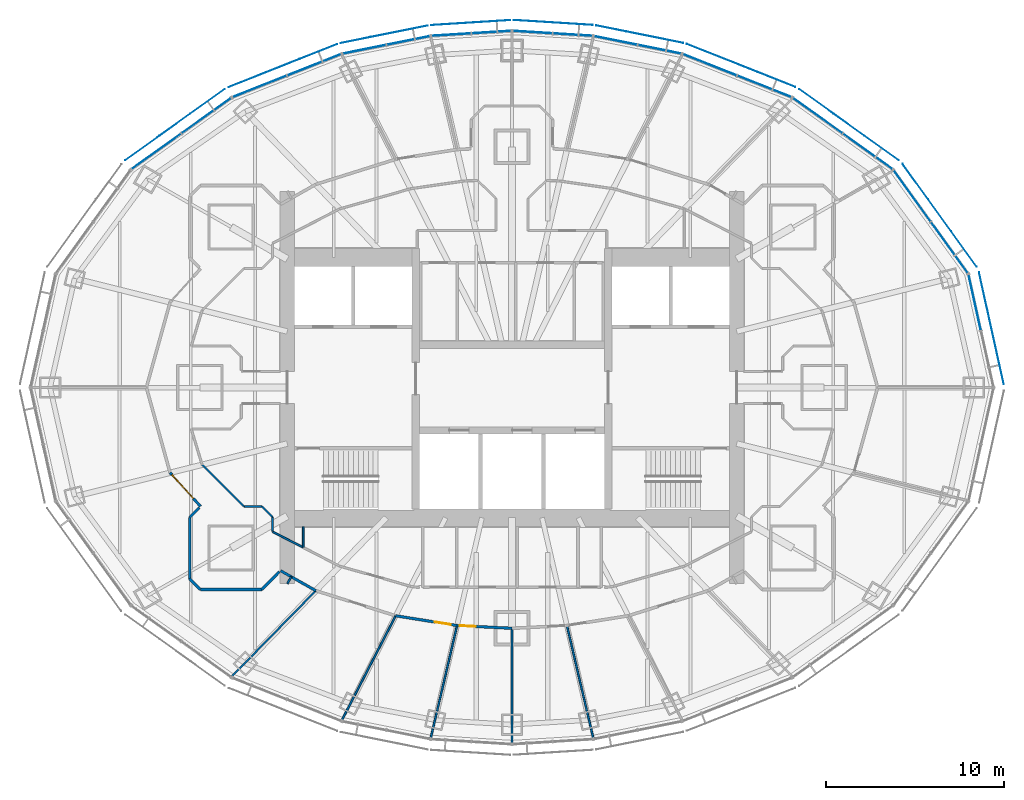
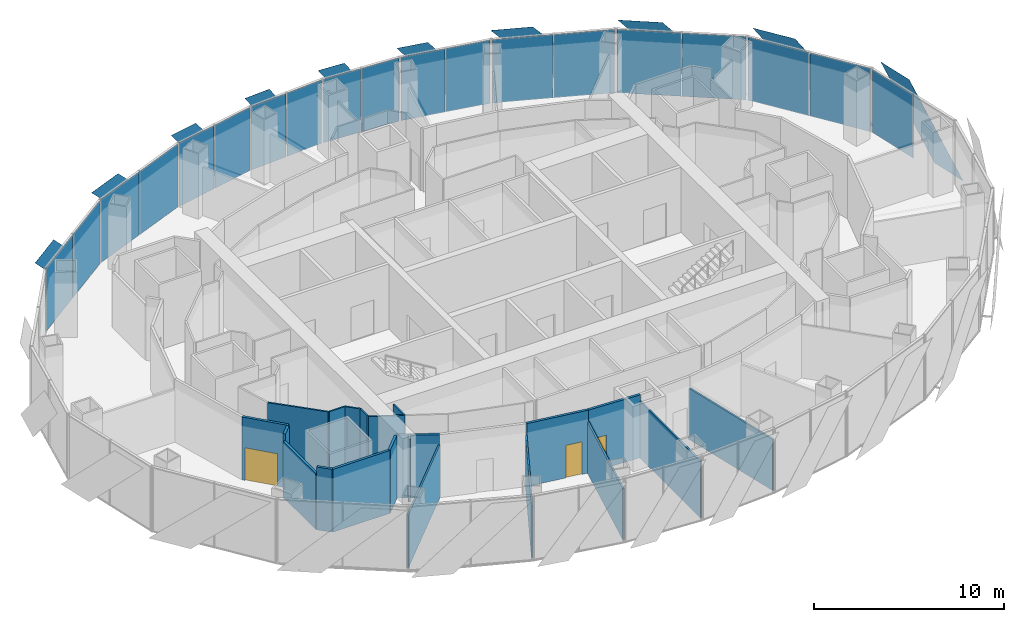
# One storey, part 11 of 18: 29 plates, 21 walls, 3 doors, 3 openings, 10 elements without a shape of their own.
"""IFC4 building model written with IfcOpenShell, lengths in metres."""

from ifc_helpers import new_model, si_unit, direction, frame, frame_2d, origin, origin_2d, place, context, subcontext, project, spatial, polyline, rectangle, outline, extrude, material, layer, layer_set, type_object, element, fill, aggregate, save


model = new_model("IFC4")

# Units and contexts
model_context = context("Model", 3, precision=1e-05, world=origin(), true_north=direction((0.0, 1.0)))
body_context = subcontext(model_context, "Body", "Model", "MODEL_VIEW")
ifc_project = project(units=[si_unit("LENGTHUNIT", "METRE"), si_unit("AREAUNIT", "SQUARE_METRE"), si_unit("VOLUMEUNIT", "CUBIC_METRE"), si_unit("PLANEANGLEUNIT", "RADIAN"), si_unit("MASSUNIT", "GRAM", prefix="KILO")], contexts=[model_context])

# Site, building, storey
site_placement = place(None, origin())
site = spatial("IfcSite", under=ifc_project, at=site_placement, CompositionType="ELEMENT")
building_placement = place(site_placement, origin())
building = spatial("IfcBuilding", under=site, at=building_placement, Name="Lantaw Convention Tower", CompositionType="ELEMENT")
storey_placement = place(building_placement, frame((0.0, 0.0, 241.0)))
storey = spatial("IfcBuildingStorey", under=building, at=storey_placement, Name="L56", CompositionType="ELEMENT", Elevation=241.0)

# Curtain wall, plate
ifc_material_1 = material(Name="Aluminium framed curtain wall", Category="aluminium")
curtain_wall_type = type_object("IfcCurtainWallType", Name="Office curtain wall high rise, pale aluminium", PredefinedType="USERDEFINED", material=ifc_material_1)
curtain_wall_1_placement = place(storey_placement, origin())
curtain_wall_1 = element("IfcCurtainWall", 1, at=curtain_wall_1_placement, inside=storey, type_object=curtain_wall_type, Name="Office curtain wall high rise, pale aluminium L56", ObjectType="UNITISED CURTAIN WALL", PredefinedType="USERDEFINED")
ifc_material_2 = material(Name="Clear insulating glass", Category="glass")
ifc_layer_1 = layer(ifc_material_2, 0.028076171875)
ifc_layer_set_1 = layer_set([ifc_layer_1], Name="CW-O2 panel 28")
plate_type_1 = type_object("IfcPlateType", Name="CW-O2 panel 28", PredefinedType="CURTAIN_PANEL", material=ifc_layer_set_1)
plate_1_placement = place(storey_placement, frame((25.945556640625, 4.769287109375, -0.0849609375), z_axis=(0.0, 0.0, 1.0), x_axis=(-0.215891333626, 0.976417396437, 0.0)))
plate_1 = element("IfcPlate", 2, at=plate_1_placement, type_object=plate_type_1, Name="CW-O2 panel 2.1", PredefinedType="CURTAIN_PANEL", context=body_context, shape_type="SweptSolid", body=[
    extrude(rectangle(XDim=3.169677734375, YDim=0.028076171875, at=origin_2d()), origin(), (0.0, 0.0, 1.0), 4.070068359375),
])
aggregate(curtain_wall_1, [plate_1])

# Curtain wall, plates
curtain_wall_2_placement = place(storey_placement, origin())
curtain_wall_2 = element("IfcCurtainWall", 3, at=curtain_wall_2_placement, inside=storey, type_object=curtain_wall_type, Name="Office curtain wall high rise, pale aluminium L56", ObjectType="UNITISED CURTAIN WALL", PredefinedType="USERDEFINED")
plate_2_placement = place(storey_placement, frame((24.527099609375, 7.852294921875, -0.0849609375), z_axis=(0.0, 0.0, 1.0), x_axis=(-0.585157643865, 0.810919559405, 0.0)))
plate_2 = element("IfcPlate", 4, at=plate_2_placement, type_object=plate_type_1, Name="CW-O2 panel 1.1", PredefinedType="CURTAIN_PANEL", context=body_context, shape_type="SweptSolid", body=[
    extrude(rectangle(XDim=3.500732421875, YDim=0.028076171875, at=origin_2d()), origin(), (0.0, 0.0, 1.0), 4.070068359375),
])
plate_3_placement = place(storey_placement, frame((22.4404296875, 10.743896484375, -0.0849609375), z_axis=(0.0, 0.0, 1.0), x_axis=(-0.585157643865, 0.810919559405, 0.0)))
plate_3 = element("IfcPlate", 5, at=plate_3_placement, type_object=plate_type_1, Name="CW-O2 panel 2.1", PredefinedType="CURTAIN_PANEL", context=body_context, shape_type="SweptSolid", body=[
    extrude(rectangle(XDim=3.500732421875, YDim=0.028076171875, at=origin_2d()), origin(), (0.0, 0.0, 1.0), 4.070068359375),
])
aggregate(curtain_wall_2, [plate_2, plate_3])

curtain_wall_3_placement = place(storey_placement, origin())
curtain_wall_3 = element("IfcCurtainWall", 6, at=curtain_wall_3_placement, inside=storey, type_object=curtain_wall_type, Name="Office curtain wall high rise, pale aluminium L56", ObjectType="UNITISED CURTAIN WALL", PredefinedType="USERDEFINED")
plate_4_placement = place(storey_placement, frame((19.947509765625, 13.23828125, -0.0849609375), z_axis=(0.0, 0.0, 1.0), x_axis=(-0.813672540482, 0.581323487281, 0.0)))
plate_4 = element("IfcPlate", 7, at=plate_4_placement, type_object=plate_type_1, Name="CW-O2 panel 1.1", PredefinedType="CURTAIN_PANEL", context=body_context, shape_type="SweptSolid", body=[
    extrude(rectangle(XDim=3.386474609375, YDim=0.028076171875, at=origin_2d()), origin(), (0.0, 0.0, 1.0), 4.070068359375),
])
plate_5_placement = place(storey_placement, frame((17.13916015625, 15.24462890625, -0.0849609375), z_axis=(0.0, 0.0, 1.0), x_axis=(-0.813672540482, 0.581323487281, 0.0)))
plate_5 = element("IfcPlate", 8, at=plate_5_placement, type_object=plate_type_1, Name="CW-O2 panel 2.1", PredefinedType="CURTAIN_PANEL", context=body_context, shape_type="SweptSolid", body=[
    extrude(rectangle(XDim=3.386474609375, YDim=0.028076171875, at=origin_2d()), origin(), (0.0, 0.0, 1.0), 4.070068359375),
])
aggregate(curtain_wall_3, [plate_4, plate_5])

curtain_wall_4_placement = place(storey_placement, origin())
curtain_wall_4 = element("IfcCurtainWall", 9, at=curtain_wall_4_placement, inside=storey, type_object=curtain_wall_type, Name="Office curtain wall high rise, pale aluminium L56", ObjectType="UNITISED CURTAIN WALL", PredefinedType="USERDEFINED")
plate_6_placement = place(storey_placement, frame((14.14990234375, 16.8837890625, -0.0849609375), z_axis=(0.0, 0.0, 1.0), x_axis=(-0.929761533743, 0.368162315252, 0.0)))
plate_6 = element("IfcPlate", 10, at=plate_6_placement, type_object=plate_type_1, Name="CW-O2 panel 1.1", PredefinedType="CURTAIN_PANEL", context=body_context, shape_type="SweptSolid", body=[
    extrude(rectangle(XDim=3.222900390625, YDim=0.028076171875, at=origin_2d()), origin(), (0.0, 0.0, 1.0), 4.070068359375),
])
plate_7_placement = place(storey_placement, frame((11.0927734375, 18.094482421875, -0.0849609375), z_axis=(0.0, 0.0, 1.0), x_axis=(-0.929761533743, 0.368162315252, 0.0)))
plate_7 = element("IfcPlate", 11, at=plate_7_placement, type_object=plate_type_1, Name="CW-O2 panel 2.1", PredefinedType="CURTAIN_PANEL", context=body_context, shape_type="SweptSolid", body=[
    extrude(rectangle(XDim=3.222900390625, YDim=0.028076171875, at=origin_2d()), origin(), (0.0, 0.0, 1.0), 4.070068359375),
])
aggregate(curtain_wall_4, [plate_6, plate_7])

curtain_wall_5_placement = place(storey_placement, origin())
curtain_wall_5 = element("IfcCurtainWall", 12, at=curtain_wall_5_placement, inside=storey, type_object=curtain_wall_type, Name="Office curtain wall high rise, pale aluminium L56", ObjectType="UNITISED CURTAIN WALL", PredefinedType="USERDEFINED")
plate_8_placement = place(storey_placement, frame((8.2724609375, 18.96533203125, -0.0849609375), z_axis=(0.0, 0.0, 1.0), x_axis=(-0.980366679695, 0.197183095987, 0.0)))
plate_8 = element("IfcPlate", 13, at=plate_8_placement, type_object=plate_type_1, Name="CW-O2 panel 1.1", PredefinedType="CURTAIN_PANEL", context=body_context, shape_type="SweptSolid", body=[
    extrude(rectangle(XDim=2.44384765625, YDim=0.028076171875, at=origin_2d()), origin(), (0.0, 0.0, 1.0), 4.070068359375),
])
plate_9_placement = place(storey_placement, frame((5.81298828125, 19.4599609375, -0.0849609375), z_axis=(0.0, 0.0, 1.0), x_axis=(-0.980366679695, 0.197183095987, 0.0)))
plate_9 = element("IfcPlate", 14, at=plate_9_placement, type_object=plate_type_1, Name="CW-O2 panel 2.1", PredefinedType="CURTAIN_PANEL", context=body_context, shape_type="SweptSolid", body=[
    extrude(rectangle(XDim=2.44384765625, YDim=0.028076171875, at=origin_2d()), origin(), (0.0, 0.0, 1.0), 4.070068359375),
])
aggregate(curtain_wall_5, [plate_8, plate_9])

curtain_wall_6_placement = place(storey_placement, origin())
curtain_wall_6 = element("IfcCurtainWall", 15, at=curtain_wall_6_placement, inside=storey, type_object=curtain_wall_type, Name="Office curtain wall high rise, pale aluminium L56", ObjectType="UNITISED CURTAIN WALL", PredefinedType="USERDEFINED")
plate_10_placement = place(storey_placement, frame((3.397216796875, 19.786376953125, -0.0849609375), z_axis=(0.0, 0.0, 1.0), x_axis=(-0.998028774865, 0.062757983884, 0.0)))
plate_10 = element("IfcPlate", 16, at=plate_10_placement, type_object=plate_type_1, Name="CW-O2 panel 1.1", PredefinedType="CURTAIN_PANEL", context=body_context, shape_type="SweptSolid", body=[
    extrude(rectangle(XDim=2.1826171875, YDim=0.028076171875, at=origin_2d()), origin(), (0.0, 0.0, 1.0), 4.070068359375),
])
plate_11_placement = place(storey_placement, frame((1.154052734375, 19.927490234375, -0.0849609375), z_axis=(0.0, 0.0, 1.0), x_axis=(-0.998028774865, 0.062757983884, 0.0)))
plate_11 = element("IfcPlate", 17, at=plate_11_placement, type_object=plate_type_1, Name="CW-O2 panel 2.1", PredefinedType="CURTAIN_PANEL", context=body_context, shape_type="SweptSolid", body=[
    extrude(rectangle(XDim=2.1826171875, YDim=0.028076171875, at=origin_2d()), origin(), (0.0, 0.0, 1.0), 4.070068359375),
])
aggregate(curtain_wall_6, [plate_10, plate_11])

curtain_wall_7_placement = place(storey_placement, origin())
curtain_wall_7 = element("IfcCurtainWall", 18, at=curtain_wall_7_placement, inside=storey, type_object=curtain_wall_type, Name="Office curtain wall high rise, pale aluminium L56", ObjectType="UNITISED CURTAIN WALL", PredefinedType="USERDEFINED")
plate_12_placement = place(storey_placement, frame((-1.154052734375, 19.927490234375, -0.0849609375), z_axis=(0.0, 0.0, 1.0), x_axis=(-0.998028774865, -0.062757983884, 0.0)))
plate_12 = element("IfcPlate", 19, at=plate_12_placement, type_object=plate_type_1, Name="CW-O2 panel 1.1", PredefinedType="CURTAIN_PANEL", context=body_context, shape_type="SweptSolid", body=[
    extrude(rectangle(XDim=2.1826171875, YDim=0.028076171875, at=origin_2d()), origin(), (0.0, 0.0, 1.0), 4.070068359375),
])
plate_13_placement = place(storey_placement, frame((-3.397216796875, 19.786376953125, -0.0849609375), z_axis=(0.0, 0.0, 1.0), x_axis=(-0.998028774865, -0.062757983884, 0.0)))
plate_13 = element("IfcPlate", 20, at=plate_13_placement, type_object=plate_type_1, Name="CW-O2 panel 2.1", PredefinedType="CURTAIN_PANEL", context=body_context, shape_type="SweptSolid", body=[
    extrude(rectangle(XDim=2.1826171875, YDim=0.028076171875, at=origin_2d()), origin(), (0.0, 0.0, 1.0), 4.070068359375),
])
aggregate(curtain_wall_7, [plate_12, plate_13])

curtain_wall_8_placement = place(storey_placement, origin())
curtain_wall_8 = element("IfcCurtainWall", 21, at=curtain_wall_8_placement, inside=storey, type_object=curtain_wall_type, Name="Office curtain wall high rise, pale aluminium L56", ObjectType="UNITISED CURTAIN WALL", PredefinedType="USERDEFINED")
plate_14_placement = place(storey_placement, frame((-5.81298828125, 19.4599609375, -0.0849609375), z_axis=(0.0, 0.0, 1.0), x_axis=(-0.980366679695, -0.197183095987, 0.0)))
plate_14 = element("IfcPlate", 22, at=plate_14_placement, type_object=plate_type_1, Name="CW-O2 panel 1.1", PredefinedType="CURTAIN_PANEL", context=body_context, shape_type="SweptSolid", body=[
    extrude(rectangle(XDim=2.44384765625, YDim=0.028076171875, at=origin_2d()), origin(), (0.0, 0.0, 1.0), 4.070068359375),
])
plate_15_placement = place(storey_placement, frame((-8.2724609375, 18.96533203125, -0.0849609375), z_axis=(0.0, 0.0, 1.0), x_axis=(-0.980366679695, -0.197183095987, 0.0)))
plate_15 = element("IfcPlate", 23, at=plate_15_placement, type_object=plate_type_1, Name="CW-O2 panel 2.1", PredefinedType="CURTAIN_PANEL", context=body_context, shape_type="SweptSolid", body=[
    extrude(rectangle(XDim=2.44384765625, YDim=0.028076171875, at=origin_2d()), origin(), (0.0, 0.0, 1.0), 4.070068359375),
])
aggregate(curtain_wall_8, [plate_14, plate_15])

curtain_wall_9_placement = place(storey_placement, origin())
curtain_wall_9 = element("IfcCurtainWall", 24, at=curtain_wall_9_placement, inside=storey, type_object=curtain_wall_type, Name="Office curtain wall high rise, pale aluminium L56", ObjectType="UNITISED CURTAIN WALL", PredefinedType="USERDEFINED")
plate_16_placement = place(storey_placement, frame((-11.0927734375, 18.094482421875, -0.0849609375), z_axis=(0.0, 0.0, 1.0), x_axis=(-0.929761533743, -0.368162315252, 0.0)))
plate_16 = element("IfcPlate", 25, at=plate_16_placement, type_object=plate_type_1, Name="CW-O2 panel 1.1", PredefinedType="CURTAIN_PANEL", context=body_context, shape_type="SweptSolid", body=[
    extrude(rectangle(XDim=3.222900390625, YDim=0.028076171875, at=origin_2d()), origin(), (0.0, 0.0, 1.0), 4.070068359375),
])
plate_17_placement = place(storey_placement, frame((-14.14990234375, 16.8837890625, -0.0849609375), z_axis=(0.0, 0.0, 1.0), x_axis=(-0.929761533743, -0.368162315252, 0.0)))
plate_17 = element("IfcPlate", 26, at=plate_17_placement, type_object=plate_type_1, Name="CW-O2 panel 2.1", PredefinedType="CURTAIN_PANEL", context=body_context, shape_type="SweptSolid", body=[
    extrude(rectangle(XDim=3.222900390625, YDim=0.028076171875, at=origin_2d()), origin(), (0.0, 0.0, 1.0), 4.070068359375),
])
aggregate(curtain_wall_9, [plate_16, plate_17])

curtain_wall_10_placement = place(storey_placement, origin())
curtain_wall_10 = element("IfcCurtainWall", 27, at=curtain_wall_10_placement, inside=storey, type_object=curtain_wall_type, Name="Office curtain wall high rise, pale aluminium L56", ObjectType="UNITISED CURTAIN WALL", PredefinedType="USERDEFINED")
plate_18_placement = place(storey_placement, frame((-17.13916015625, 15.24462890625, -0.0849609375), z_axis=(0.0, 0.0, 1.0), x_axis=(-0.813672540482, -0.581323487281, 0.0)))
plate_18 = element("IfcPlate", 28, at=plate_18_placement, type_object=plate_type_1, Name="CW-O2 panel 1.1", PredefinedType="CURTAIN_PANEL", context=body_context, shape_type="SweptSolid", body=[
    extrude(rectangle(XDim=3.386474609375, YDim=0.028076171875, at=origin_2d()), origin(), (0.0, 0.0, 1.0), 4.070068359375),
])
plate_19_placement = place(storey_placement, frame((-19.947509765625, 13.23828125, -0.0849609375), z_axis=(0.0, 0.0, 1.0), x_axis=(-0.813672540482, -0.581323487281, 0.0)))
plate_19 = element("IfcPlate", 29, at=plate_19_placement, type_object=plate_type_1, Name="CW-O2 panel 2.1", PredefinedType="CURTAIN_PANEL", context=body_context, shape_type="SweptSolid", body=[
    extrude(rectangle(XDim=3.386474609375, YDim=0.028076171875, at=origin_2d()), origin(), (0.0, 0.0, 1.0), 4.070068359375),
])
aggregate(curtain_wall_10, [plate_18, plate_19])

# Plates
ifc_material_3 = material(Name="Perforated aluminium sheet, pale silver finish", Category="aluminium")
ifc_layer_2 = layer(ifc_material_3, 0.006103515625)
ifc_layer_set_2 = layer_set([ifc_layer_2], Name="Perforated aluminium solar SCREEN panel")
plate_type_2 = type_object("IfcPlateType", Name="Perforated aluminium solar SCREEN panel", PredefinedType="SHEET", material=ifc_layer_set_2)
plate_20_placement = place(storey_placement, frame((27.580810546875, 0.1796875, -0.175048828125), z_axis=(0.976429511424, 0.215836529031, 4.4219438e-05), x_axis=(-0.215836529242, 0.976429512379, 0.0)))
element("IfcPlate", 30, at=plate_20_placement, inside=storey, type_object=plate_type_2, Name="Solar SCREEN panel", PredefinedType="SHEET", context=body_context, shape_type="SweptSolid", body=[
    extrude(outline(polyline([(0.0, 0.0), (2.2215525295212517, -3.3881317890172014e-21), (6.4341686174090675, 4.340087894868215), (4.212616087887817, 4.340087894868215), (0.0, 0.0)])), origin(), (0.0, 0.0, -1.0), 0.006103515625),
])
plate_21_placement = place(storey_placement, frame((26.051513671875, 6.775390625, -0.175048828125), z_axis=(-0.810892289695, -0.585195432394, 2.0458414e-05), x_axis=(-0.585195432516, 0.810892289865, 0.0)))
element("IfcPlate", 31, at=plate_21_placement, inside=storey, type_object=plate_type_2, Name="Solar SCREEN panel", PredefinedType="SHEET", context=body_context, shape_type="SweptSolid", body=[
    extrude(outline(polyline([(0.0, 0.0), (2.446848840683286, 6.776263578034403e-21), (7.09661046667572, -4.340087891533265), (4.649761625992435, -4.340087891533265), (0.0, 0.0)])), origin(), (0.0, 0.0, -1.0), 0.006103515625),
])
plate_22_placement = place(storey_placement, frame((21.689697265625, 12.73828125, -0.175048828125), z_axis=(0.581330799771, 0.813667316006, 1.0072414e-05), x_axis=(-0.813667316047, 0.5813307998, 3.02e-10)))
element("IfcPlate", 32, at=plate_22_placement, inside=storey, type_object=plate_type_2, Name="Solar SCREEN panel", PredefinedType="SHEET", context=body_context, shape_type="SweptSolid", body=[
    extrude(outline(polyline([(0.0, 0.0), (2.3691416428668504, 0.0), (6.867806096558412, 4.34008788877314), (4.498863102938644, 4.340087890202622), (0.0, 0.0)])), origin(), (0.0, 0.0, -1.0), 0.006103515625),
])
plate_23_placement = place(storey_placement, frame((15.88525390625, 16.8486328125, -0.175048828125), z_axis=(-0.368116612072, -0.929779629081, 3.5533269e-05), x_axis=(-0.929779629668, 0.368116612304, -1.786e-09)))
element("IfcPlate", 33, at=plate_23_placement, inside=storey, type_object=plate_type_2, Name="Solar SCREEN panel", PredefinedType="SHEET", context=body_context, shape_type="SweptSolid", body=[
    extrude(outline(polyline([(0.0, 0.0), (2.2578720663572183, -3.3881317890172014e-21), (6.540904465438181, -4.340087905048178), (4.282942526861161, -4.340087896982072), (0.0, 0.0)])), origin(), (0.0, 0.0, -1.0), 0.006103515625),
])
plate_24_placement = place(storey_placement, frame((9.6044921875, 19.315673828125, -0.175048828125), z_axis=(-0.197162069853, -0.980370908428, 1.0904083e-05), x_axis=(-0.980370908486, 0.197162069865, -7.55e-10)))
element("IfcPlate", 34, at=plate_24_placement, inside=storey, type_object=plate_type_2, Name="Solar SCREEN panel", PredefinedType="SHEET", context=body_context, shape_type="SweptSolid", body=[
    extrude(outline(polyline([(0.0, 0.0), (1.7279870169553606, 8.470329472543003e-22), (4.982578440602753, -4.340087894645749), (3.2545432883764285, -4.340087892035838), (0.0, 0.0)])), origin(), (0.0, 0.0, -1.0), 0.006103515625),
])
plate_25_placement = place(storey_placement, frame((4.539306640625, 20.32177734375, -0.175048828125), z_axis=(-0.062672387577, -0.998034151922, 5.858668e-05), x_axis=(-0.998034153635, 0.062672387685, 0.0)))
element("IfcPlate", 35, at=plate_25_placement, inside=storey, type_object=plate_type_2, Name="Solar SCREEN panel", PredefinedType="SHEET", context=body_context, shape_type="SweptSolid", body=[
    extrude(outline(polyline([(0.0, 0.0), (1.5504111513762302, 8.470329472543003e-22), (4.460200019412434, -4.340087898073457), (2.9097888680362036, -4.340087898073457), (0.0, 0.0)])), origin(), (0.0, 0.0, -1.0), 0.006103515625),
])
plate_26_placement = place(storey_placement, frame((-0.087890625, 20.6015625, -0.175048828125), z_axis=(-0.062672387577, 0.998034151922, 5.858668e-05), x_axis=(-0.998034153635, -0.062672387685, 0.0)))
element("IfcPlate", 36, at=plate_26_placement, inside=storey, type_object=plate_type_2, Name="Solar SCREEN panel", PredefinedType="SHEET", context=body_context, shape_type="SweptSolid", body=[
    extrude(outline(polyline([(0.0, 0.0), (1.5504111513762302, -8.470329472543003e-22), (4.460200019412434, 4.340087898073457), (2.9097888680362036, 4.340087898073457), (0.0, 0.0)])), origin(), (0.0, 0.0, -1.0), 0.006103515625),
])
plate_27_placement = place(storey_placement, frame((-4.7197265625, 20.298095703125, -0.175048828125), z_axis=(-0.197162069853, 0.980370908428, 1.0904083e-05), x_axis=(-0.980370908486, -0.197162069865, 7.55e-10)))
element("IfcPlate", 37, at=plate_27_placement, inside=storey, type_object=plate_type_2, Name="Solar SCREEN panel", PredefinedType="SHEET", context=body_context, shape_type="SweptSolid", body=[
    extrude(outline(polyline([(0.0, 0.0), (1.7280351522263238, 4.235164736271502e-22), (4.982578447157737, 4.34008788712039), (3.2545914302023755, 4.340087889730228), (0.0, 0.0)])), origin(), (0.0, 0.0, -1.0), 0.006103515625),
])
plate_28_placement = place(storey_placement, frame((-9.8037109375, 19.256591796875, -0.175048828125), z_axis=(-0.368116612072, 0.929779629081, 3.5533269e-05), x_axis=(-0.929779629668, -0.368116612304, 1.786e-09)))
element("IfcPlate", 38, at=plate_28_placement, inside=storey, type_object=plate_type_2, Name="Solar SCREEN panel", PredefinedType="SHEET", context=body_context, shape_type="SweptSolid", body=[
    extrude(outline(polyline([(0.0, 0.0), (2.257961938577019, 0.0), (6.540904480942253, 4.34008788168214), (4.283032414585035, 4.340087889747925), (0.0, 0.0)])), origin(), (0.0, 0.0, -1.0), 0.006103515625),
])
plate_29_placement = place(storey_placement, frame((-16.1015625, 16.730712890625, -0.175048828125), z_axis=(0.581330799771, -0.813667316006, 1.0072414e-05), x_axis=(-0.813667316047, -0.5813307998, -3.02e-10)))
element("IfcPlate", 39, at=plate_29_placement, inside=storey, type_object=plate_type_2, Name="Solar SCREEN panel", PredefinedType="SHEET", context=body_context, shape_type="SweptSolid", body=[
    extrude(outline(polyline([(0.0, 0.0), (2.3689429936197683, -1.6940658945086007e-21), (6.867806093939489, -4.340087892917353), (4.498664451072639, -4.340087891487751), (0.0, 0.0)])), origin(), (0.0, 0.0, -1.0), 0.006103515625),
])

# Wall, opening, door
ifc_material_4 = material(Name="Gypsum board on steel studs, fire rated", Category="steel")
ifc_layer_3 = layer(ifc_material_4, 0.14990234375)
ifc_layer_set_3 = layer_set([ifc_layer_3], Name="Corridor wall 150 EI 60")
wall_type_1 = type_object("IfcWallType", Name="Corridor wall 150 EI 60", PredefinedType="PARTITIONING", material=ifc_layer_set_3)
wall_1_placement = place(storey_placement, frame((-6.521240234375, -12.798828125, 0.0), z_axis=(0.0, 0.0, 1.0), x_axis=(0.987554093087, -0.157279729233, 0.0)))
wall_1 = element("IfcWall", 40, at=wall_1_placement, inside=storey, type_object=wall_type_1, Name="Corridor wall 150", PredefinedType="PARTITIONING", context=body_context, shape_type="SweptSolid", body=[
    extrude(rectangle(XDim=3.4833984375, YDim=0.14990234375, at=frame_2d((1.74169921875, 0.0))), origin(), (0.0, 0.0, 1.0), 4.050048828125),
])
opening_1_placement = place(wall_1_placement, frame((2.2255859375, 0.0, 0.0)))
opening_1 = element("IfcOpeningElement", 41, at=opening_1_placement, cuts=wall_1, Name="Opening L56.38", PredefinedType="OPENING", context=body_context, shape_type="SweptSolid", body=[
    extrude(rectangle(XDim=0.89990234375, YDim=2.10009765625, at=frame_2d((0.449951171875, 1.050048828125))), frame((0.0, 0.0849609375, 0.0), z_axis=(0.0, -1.0, 0.0), x_axis=(1.0, 0.0, 0.0)), (0.0, 0.0, 1.0), 0.169921875),
])
ifc_material_5 = material(Name="Steel, fire rated", Category="steel")
door_type_1 = type_object("IfcDoorType", Name="Office door 900 FD30", OperationType="SINGLE_SWING_LEFT", PredefinedType="DOOR", material=ifc_material_5)
door_1_placement = place(opening_1_placement, origin())
door_1 = element("IfcDoor", 42, at=door_1_placement, inside=storey, type_object=door_type_1, Name="Private office door", OperationType="SINGLE_SWING_LEFT", OverallHeight=2.10009765625, OverallWidth=0.89990234375, PredefinedType="DOOR", context=body_context, shape_type="SweptSolid", body=[
    extrude(rectangle(XDim=0.89990234375, YDim=2.10009765625, at=frame_2d((0.449951171875, 1.050048828125))), frame((0.0, 0.02490234375, 0.0), z_axis=(0.0, -1.0, 0.0), x_axis=(1.0, 0.0, 0.0)), (0.0, 0.0, 1.0), 0.050048828125),
])
fill(opening_1, door_1)

wall_2_placement = place(storey_placement, frame((-3.081298828125, -13.3466796875, 0.0), z_axis=(0.0, 0.0, 1.0), x_axis=(0.99876434787, -0.049696855278, 0.0)))
wall_2 = element("IfcWall", 43, at=wall_2_placement, inside=storey, type_object=wall_type_1, Name="Corridor wall 150", PredefinedType="PARTITIONING", context=body_context, shape_type="SweptSolid", body=[
    extrude(rectangle(XDim=3.085205078125, YDim=0.14990234375, at=frame_2d((1.54248046875, 0.0))), origin(), (0.0, 0.0, 1.0), 4.050048828125),
])
opening_2_placement = place(wall_2_placement, frame((0.14990234375, 0.0, 0.0)))
opening_2 = element("IfcOpeningElement", 44, at=opening_2_placement, cuts=wall_2, Name="Opening L56.39", PredefinedType="OPENING", context=body_context, shape_type="SweptSolid", body=[
    extrude(rectangle(XDim=0.89990234375, YDim=2.10009765625, at=frame_2d((0.449951171875, 1.050048828125))), frame((0.0, 0.0849609375, 0.0), z_axis=(0.0, -1.0, 0.0), x_axis=(1.0, 0.0, 0.0)), (0.0, 0.0, 1.0), 0.169921875),
])
door_2_placement = place(opening_2_placement, origin())
door_2 = element("IfcDoor", 45, at=door_2_placement, inside=storey, type_object=door_type_1, Name="Private office door", OperationType="SINGLE_SWING_LEFT", OverallHeight=2.10009765625, OverallWidth=0.89990234375, PredefinedType="DOOR", context=body_context, shape_type="SweptSolid", body=[
    extrude(rectangle(XDim=0.89990234375, YDim=2.10009765625, at=frame_2d((0.449951171875, 1.050048828125))), frame((0.0, 0.02490234375, 0.0), z_axis=(0.0, -1.0, 0.0), x_axis=(1.0, 0.0, 0.0)), (0.0, 0.0, 1.0), 0.050048828125),
])
fill(opening_2, door_2)

wall_3_placement = place(storey_placement, frame((-19.171875, -4.780029296875, 0.0), z_axis=(0.0, 0.0, 1.0), x_axis=(0.671721890643, -0.74080341632, 0.0)))
wall_3 = element("IfcWall", 46, at=wall_3_placement, inside=storey, type_object=wall_type_1, Name="Corridor wall 150", PredefinedType="PARTITIONING", context=body_context, shape_type="SweptSolid", body=[
    extrude(rectangle(XDim=2.54443359375, YDim=0.14990234375, at=frame_2d((1.272216796875, 0.0))), origin(), (0.0, 0.0, 1.0), 4.050048828125),
])
opening_3_placement = place(wall_3_placement, frame((0.14990234375, 0.0, 0.0)))
opening_3 = element("IfcOpeningElement", 47, at=opening_3_placement, cuts=wall_3, Name="Opening L56.36", PredefinedType="OPENING", context=body_context, shape_type="SweptSolid", body=[
    extrude(rectangle(XDim=1.800048828125, YDim=2.10009765625, at=frame_2d((0.89990234375, 1.050048828125))), frame((0.0, 0.0849609375, 0.0), z_axis=(0.0, -1.0, 0.0), x_axis=(1.0, 0.0, 0.0)), (0.0, 0.0, 1.0), 0.169921875),
])
door_type_2 = type_object("IfcDoorType", Name="Office double door 1800 FD30", OperationType="DOUBLE_DOOR_DOUBLE_SWING", PredefinedType="DOOR", material=ifc_material_5)
door_3_placement = place(opening_3_placement, origin())
door_3 = element("IfcDoor", 48, at=door_3_placement, inside=storey, type_object=door_type_2, Name="Boardroom door", OperationType="DOUBLE_DOOR_DOUBLE_SWING", OverallHeight=2.10009765625, OverallWidth=1.800048828125, PredefinedType="DOOR", context=body_context, shape_type="SweptSolid", body=[
    extrude(rectangle(XDim=1.800048828125, YDim=2.10009765625, at=frame_2d((0.89990234375, 1.050048828125))), frame((0.0, 0.02490234375, 0.0), z_axis=(0.0, -1.0, 0.0), x_axis=(1.0, 0.0, 0.0)), (0.0, 0.0, 1.0), 0.050048828125),
])
fill(opening_3, door_3)

# Walls
wall_4_placement = place(storey_placement, frame((-12.974609375, -10.271484375, 0.0), z_axis=(0.0, 0.0, 1.0), x_axis=(0.869722107117, -0.493541747366, 0.0)))
element("IfcWall", 49, at=wall_4_placement, inside=storey, type_object=wall_type_1, Name="Corridor wall 150", PredefinedType="PARTITIONING", context=body_context, shape_type="SweptSolid", body=[
    extrude(rectangle(XDim=2.26953125, YDim=0.14990234375, at=frame_2d((1.134765625, 0.0))), origin(), (0.0, 0.0, 1.0), 4.050048828125),
])
wall_5_placement = place(storey_placement, frame((-13.035888671875, -10.318603515625, 0.0), z_axis=(0.0, 0.0, 1.0), x_axis=(-0.701113567316, -0.713049623606, 0.0)))
element("IfcWall", 50, at=wall_5_placement, inside=storey, type_object=wall_type_1, Name="Corridor wall 150", PredefinedType="PARTITIONING", context=body_context, shape_type="SweptSolid", body=[
    extrude(rectangle(XDim=1.411376953125, YDim=0.14990234375, at=frame_2d((0.70556640625, 0.0))), origin(), (0.0, 0.0, 1.0), 4.050048828125),
])
wall_6_placement = place(storey_placement, frame((-14.025390625, -11.324951171875, 0.0), z_axis=(0.0, 0.0, 1.0), x_axis=(-1.0, 0.0, 0.0)))
element("IfcWall", 51, at=wall_6_placement, inside=storey, type_object=wall_type_1, Name="Corridor wall 150", PredefinedType="PARTITIONING", context=body_context, shape_type="SweptSolid", body=[
    extrude(rectangle(XDim=3.44921875, YDim=0.14990234375, at=frame_2d((1.724609375, 0.0))), origin(), (0.0, 0.0, 1.0), 4.050048828125),
])
wall_7_placement = place(storey_placement, frame((-17.474609375, -11.324951171875, 0.0), z_axis=(0.0, 0.0, 1.0), x_axis=(-0.707106781187, 0.707106781187, 0.0)))
element("IfcWall", 52, at=wall_7_placement, inside=storey, type_object=wall_type_1, Name="Corridor wall 150", PredefinedType="PARTITIONING", context=body_context, shape_type="SweptSolid", body=[
    extrude(rectangle(XDim=0.84912109375, YDim=0.14990234375, at=frame_2d((0.424560546875, 0.0))), origin(), (0.0, 0.0, 1.0), 4.050048828125),
])
wall_8_placement = place(storey_placement, frame((-18.074951171875, -10.724609375, 0.0), z_axis=(0.0, 0.0, 1.0), x_axis=(0.0, 1.0, 0.0)))
element("IfcWall", 53, at=wall_8_placement, inside=storey, type_object=wall_type_1, Name="Corridor wall 150", PredefinedType="PARTITIONING", context=body_context, shape_type="SweptSolid", body=[
    extrude(rectangle(XDim=3.44921875, YDim=0.14990234375, at=frame_2d((1.724609375, 0.0))), origin(), (0.0, 0.0, 1.0), 3.600341796875),
])
wall_9_placement = place(storey_placement, frame((-18.074951171875, -7.275390625, 0.0), z_axis=(0.0, 0.0, 1.0), x_axis=(0.707106781187, 0.707106781187, 0.0)))
element("IfcWall", 54, at=wall_9_placement, inside=storey, type_object=wall_type_1, Name="Corridor wall 150", PredefinedType="PARTITIONING", context=body_context, shape_type="SweptSolid", body=[
    extrude(rectangle(XDim=0.759521484375, YDim=0.14990234375, at=frame_2d((0.3798828125, 0.0))), origin(), (0.0, 0.0, 1.0), 4.050048828125),
])
ifc_material_6 = material(Name="Gypsum board on steel studs, acoustic", Category="steel")
ifc_layer_4 = layer(ifc_material_6, 0.10009765625)
ifc_layer_set_4 = layer_set([ifc_layer_4], Name="Office partition 100")
wall_type_2 = type_object("IfcWallType", Name="Office partition 100", PredefinedType="PARTITIONING", material=ifc_layer_set_4)
wall_10_placement = place(storey_placement, frame((-15.70947265625, -16.19873046875, 0.0), z_axis=(0.0, 0.0, 1.0), x_axis=(0.699758297028, 0.71437967898, 0.0)))
element("IfcWall", 55, at=wall_10_placement, inside=storey, type_object=wall_type_2, Name="Office partition 100", PredefinedType="PARTITIONING", context=body_context, shape_type="SweptSolid", body=[
    extrude(rectangle(XDim=6.72900390625, YDim=0.10009765625, at=frame_2d((3.364501953125, 0.0))), origin(), (0.0, 0.0, 1.0), 3.409912109375),
])
wall_11_placement = place(storey_placement, frame((-9.53955078125, -18.650390625, 0.0), z_axis=(0.0, 0.0, 1.0), x_axis=(0.458420942987, 0.888735190611, 0.0)))
element("IfcWall", 56, at=wall_11_placement, inside=storey, type_object=wall_type_2, Name="Office partition 100", PredefinedType="PARTITIONING", context=body_context, shape_type="SweptSolid", body=[
    extrude(rectangle(XDim=6.584228515625, YDim=0.10009765625, at=frame_2d((3.2919921875, 0.0))), origin(), (0.0, 0.0, 1.0), 3.29296875),
])
wall_12_placement = place(storey_placement, frame((-4.5556640625, -19.65673828125, 0.0), z_axis=(0.0, 0.0, 1.0), x_axis=(0.227524978141, 0.973772244584, 0.0)))
element("IfcWall", 57, at=wall_12_placement, inside=storey, type_object=wall_type_2, Name="Office partition 100", PredefinedType="PARTITIONING", context=body_context, shape_type="SweptSolid", body=[
    extrude(rectangle(XDim=6.47998046875, YDim=0.10009765625, at=frame_2d((3.239990234375, 0.0))), origin(), (0.0, 0.0, 1.0), 3.29296875),
])
wall_13_placement = place(storey_placement, frame((0.0, -19.94482421875, 0.0), z_axis=(0.0, 0.0, 1.0), x_axis=(0.0, 1.0, 0.0)))
element("IfcWall", 58, at=wall_13_placement, inside=storey, type_object=wall_type_2, Name="Office partition 100", PredefinedType="PARTITIONING", context=body_context, shape_type="SweptSolid", body=[
    extrude(rectangle(XDim=6.44482421875, YDim=0.10009765625, at=frame_2d((3.222412109375, 0.0))), origin(), (0.0, 0.0, 1.0), 3.646240234375),
])
wall_14_placement = place(storey_placement, frame((4.5556640625, -19.65673828125, 0.0), z_axis=(0.0, 0.0, 1.0), x_axis=(-0.227524978141, 0.973772244584, 0.0)))
element("IfcWall", 59, at=wall_14_placement, inside=storey, type_object=wall_type_2, Name="Office partition 100", PredefinedType="PARTITIONING", context=body_context, shape_type="SweptSolid", body=[
    extrude(rectangle(XDim=6.47998046875, YDim=0.10009765625, at=frame_2d((3.239990234375, 0.0))), origin(), (0.0, 0.0, 1.0), 3.29296875),
])
wall_15_placement = place(storey_placement, frame((-11.7099609375, -7.800048828125, 0.0), z_axis=(0.0, 0.0, 1.0), x_axis=(0.0, -1.0, 0.0)))
element("IfcWall", 60, at=wall_15_placement, inside=storey, type_object=wall_type_2, Name="Office partition 100", PredefinedType="PARTITIONING", context=body_context, shape_type="SweptSolid", body=[
    extrude(rectangle(XDim=1.1669921875, YDim=0.10009765625, at=frame_2d((0.58349609375, 0.0))), origin(), (0.0, 0.0, 1.0), 4.050048828125),
])
wall_16_placement = place(storey_placement, frame((-12.60009765625, -11.0, 0.0), z_axis=(0.0, 0.0, 1.0), x_axis=(0.493794495037, 0.869578631678, 0.0)))
element("IfcWall", 61, at=wall_16_placement, inside=storey, type_object=wall_type_2, Name="Office partition 100", PredefinedType="PARTITIONING", context=body_context, shape_type="SweptSolid", body=[
    extrude(rectangle(XDim=0.448974609375, YDim=0.10009765625, at=frame_2d((0.224609375, 0.0))), origin(), (0.0, 0.0, 1.0), 4.050048828125),
])
wall_17_placement = place(storey_placement, frame((-11.7099609375, -8.967041015625, 0.0), z_axis=(0.0, 0.0, 1.0), x_axis=(-0.889638356137, 0.456665736935, 0.0)))
element("IfcWall", 62, at=wall_17_placement, inside=storey, type_object=wall_type_2, Name="Office partition 100", PredefinedType="PARTITIONING", context=body_context, shape_type="SweptSolid", body=[
    extrude(rectangle(XDim=1.91650390625, YDim=0.10009765625, at=frame_2d((0.958251953125, 0.0))), origin(), (0.0, 0.0, 1.0), 4.050048828125),
])
wall_18_placement = place(storey_placement, frame((-15.03466796875, -6.6650390625, 0.0), z_axis=(0.0, 0.0, 1.0), x_axis=(-0.707587114823, 0.70662612104, 0.0)))
element("IfcWall", 63, at=wall_18_placement, inside=storey, type_object=wall_type_2, Name="Office partition 100", PredefinedType="PARTITIONING", context=body_context, shape_type="SweptSolid", body=[
    extrude(rectangle(XDim=3.302734375, YDim=0.10009765625, at=frame_2d((1.6513671875, 0.0))), origin(), (0.0, 0.0, 1.0), 4.050048828125),
])
wall_19_placement = place(storey_placement, frame((-15.002197265625, -6.675048828125, 0.0), z_axis=(0.0, 0.0, 1.0), x_axis=(1.0, 0.0, 0.0)))
element("IfcWall", 64, at=wall_19_placement, inside=storey, type_object=wall_type_2, Name="Office partition 100", PredefinedType="PARTITIONING", context=body_context, shape_type="SweptSolid", body=[
    extrude(rectangle(XDim=0.976806640625, YDim=0.10009765625, at=frame_2d((0.48828125, 0.0))), origin(), (0.0, 0.0, 1.0), 4.050048828125),
])
wall_20_placement = place(storey_placement, frame((-14.025390625, -6.675048828125, 0.0), z_axis=(0.0, 0.0, 1.0), x_axis=(0.707106781187, -0.707106781187, 0.0)))
element("IfcWall", 65, at=wall_20_placement, inside=storey, type_object=wall_type_2, Name="Office partition 100", PredefinedType="PARTITIONING", context=body_context, shape_type="SweptSolid", body=[
    extrude(rectangle(XDim=0.84912109375, YDim=0.10009765625, at=frame_2d((0.424560546875, 0.0))), origin(), (0.0, 0.0, 1.0), 4.050048828125),
])
wall_21_placement = place(storey_placement, frame((-13.425048828125, -7.275390625, 0.0), z_axis=(0.0, 0.0, 1.0), x_axis=(0.0, -1.0, 0.0)))
element("IfcWall", 66, at=wall_21_placement, inside=storey, type_object=wall_type_2, Name="Office partition 100", PredefinedType="PARTITIONING", context=body_context, shape_type="SweptSolid", body=[
    extrude(rectangle(XDim=0.770263671875, YDim=0.10009765625, at=frame_2d((0.38525390625, 0.0))), origin(), (0.0, 0.0, 1.0), 4.050048828125),
])

save(model, "model.ifc")
